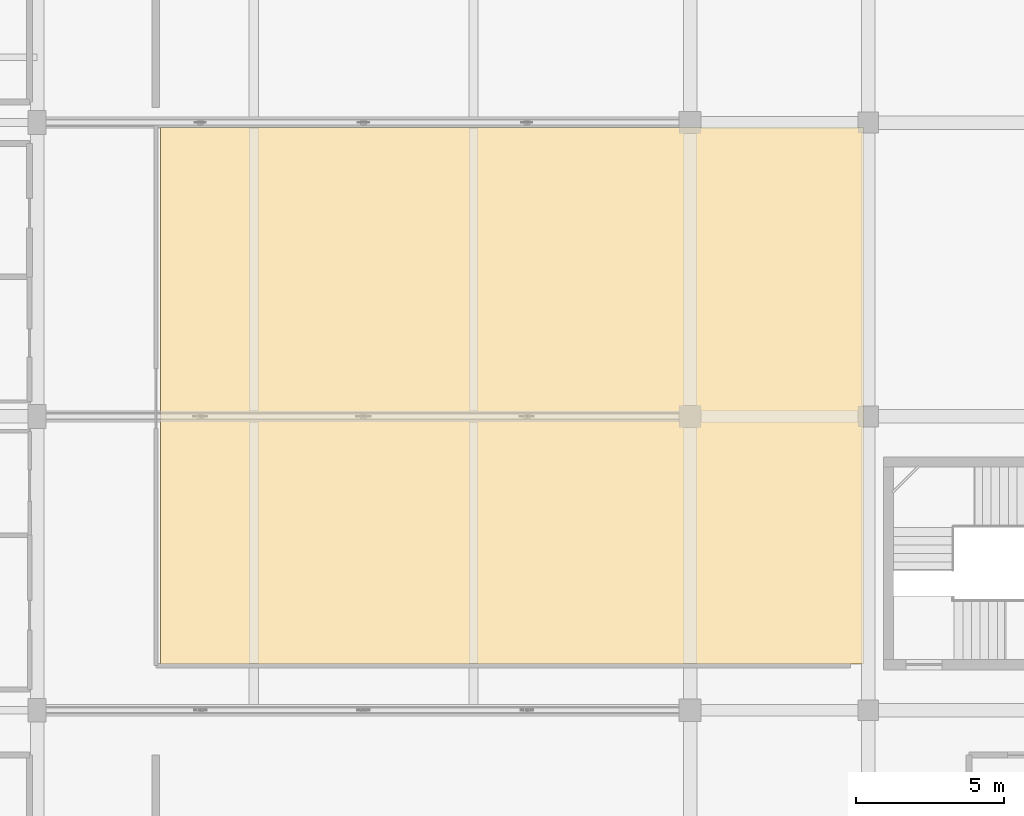
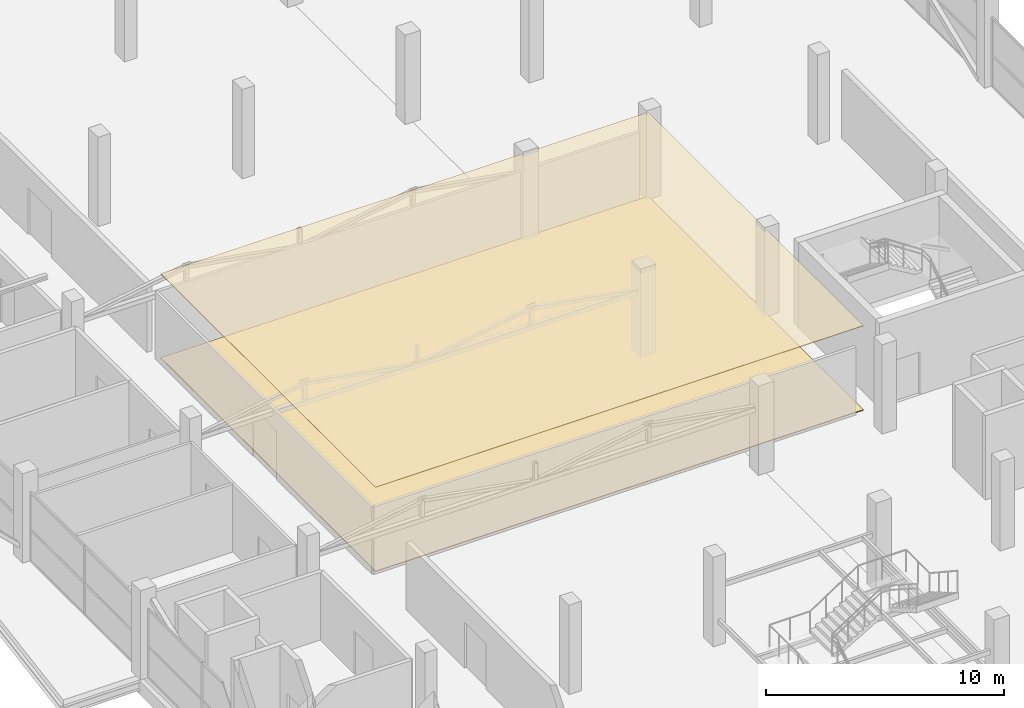
# One storey, part 55 of 58: 2 coverings.
"""IFC4 building model written with IfcOpenShell, lengths in metres."""

import ifcopenshell
import ifcopenshell.guid

model = None  # the IFC model being written
_history = None  # IfcOwnerHistory: only IFC2X3 demands one
_inside = {}  # id of a spatial element -> (the spatial element, [elements in it])
_under = {}  # id of a project, library or spatial element -> (it, [spatial elements below it])
_declared = {}  # id of a project -> (the project, [libraries it declares])
_typed = {}  # id of a type object -> (the type object, [elements of that type])
_made_of = {}  # id of a material, layer set ... -> (it, [elements and type objects made of it])


def new_model(schema):
    """Start an empty IFC model of exactly this schema.

    Asked for "IFC4X3", IfcOpenShell would pick the latest addendum, in which some entities
    have other attributes; the version numbers below select the first issue.
    IFC2X3 requires an IfcOwnerHistory on every rooted entity: one is made here for all.
    """
    global model, _history
    if schema == "IFC4X3":
        model = ifcopenshell.file(schema_version=(4, 3, 0, 0))
    else:
        model = ifcopenshell.file(schema=schema)
    _inside.clear()
    _under.clear()
    _declared.clear()
    _typed.clear()
    _made_of.clear()
    _history = None
    if model.schema == "IFC2X3":
        org = make("IfcOrganization", Name="unknown")
        user = make(
            "IfcPersonAndOrganization",
            ThePerson=make("IfcPerson", FamilyName="unknown"),
            TheOrganization=org,
        )
        app = make(
            "IfcApplication",
            ApplicationDeveloper=org,
            Version="unknown",
            ApplicationFullName="unknown",
            ApplicationIdentifier="unknown",
        )
        _history = make(
            "IfcOwnerHistory",
            OwningUser=user,
            OwningApplication=app,
            ChangeAction="ADDED",
            CreationDate=0,
        )
    return model


def make(cls, **values):
    """One entity of the class cls with the attributes given. An attribute that is None is left unset."""
    return model.create_entity(
        cls, **{name: value for name, value in values.items() if value is not None}
    )


def rooted(cls, **values):
    """An entity with a GlobalId (a new one), such as an element, a storey or a relation."""
    return make(cls, GlobalId=ifcopenshell.guid.new(), OwnerHistory=_history, **values)


def si_unit(unit_type, name, prefix=None):
    """IfcSIUnit, for example si_unit("LENGTHUNIT", "METRE", prefix="MILLI")."""
    return make("IfcSIUnit", UnitType=unit_type, Prefix=prefix, Name=name)


def assignment(units):
    """IfcUnitAssignment: the units of a project."""
    return None if units is None else make("IfcUnitAssignment", Units=units)


def point(xyz):
    """IfcCartesianPoint."""
    return None if xyz is None else make("IfcCartesianPoint", Coordinates=xyz)


def direction(xyz):
    """IfcDirection."""
    return None if xyz is None else make("IfcDirection", DirectionRatios=xyz)


def frame(location, z_axis=None, x_axis=None):
    """IfcAxis2Placement3D, a coordinate frame: its origin and axes. An axis left out is left unset."""
    return make(
        "IfcAxis2Placement3D",
        Location=point(location),
        Axis=direction(z_axis),
        RefDirection=direction(x_axis),
    )


def origin():
    """The frame at (0, 0, 0) with its axes left unset."""
    return frame((0.0, 0.0, 0.0))


def place(relative_to, where):
    """IfcLocalPlacement: puts the frame where relative to a parent placement (None: the world)."""
    return make(
        "IfcLocalPlacement", PlacementRelTo=relative_to, RelativePlacement=where
    )


def context(
    kind, dimensions, precision=None, world=None, true_north=None, identifier=None
):
    """IfcGeometricRepresentationContext, for example the 3D "Model" context."""
    return make(
        "IfcGeometricRepresentationContext",
        ContextIdentifier=identifier,
        ContextType=kind,
        CoordinateSpaceDimension=dimensions,
        Precision=precision,
        WorldCoordinateSystem=world,
        TrueNorth=true_north,
    )


def subcontext(parent, identifier, kind, view, scale=None):
    """IfcGeometricRepresentationSubContext, for example "Body" below "Model"."""
    return make(
        "IfcGeometricRepresentationSubContext",
        ContextIdentifier=identifier,
        ContextType=kind,
        ParentContext=parent,
        TargetScale=scale,
        TargetView=view,
    )


def project(units=None, contexts=None):
    """IfcProject with its units and contexts."""
    return rooted(
        "IfcProject",
        Name="project",
        RepresentationContexts=contexts,
        UnitsInContext=assignment(units),
    )


def spatial(cls, under=None, at=None, **own):
    """A site, building, storey or space (cls), placed at a placement, below another one or the project."""
    s = rooted(cls, ObjectPlacement=at, **own)
    if under is not None:
        _under.setdefault(under.id(), (under, []))[1].append(s)
    return s


def polyline(points):
    """IfcPolyline through the points."""
    return make("IfcPolyline", Points=[point(p) for p in points])


def outline(outer, holes=None, kind="AREA"):
    """IfcArbitraryClosedProfileDef: a profile drawn as a closed curve; with holes, ...WithVoids."""
    if holes is None:
        return make("IfcArbitraryClosedProfileDef", ProfileType=kind, OuterCurve=outer)
    return make(
        "IfcArbitraryProfileDefWithVoids",
        ProfileType=kind,
        OuterCurve=outer,
        InnerCurves=holes,
    )


def extrude(swept, where, along, depth):
    """IfcExtrudedAreaSolid: the profile swept, set in the frame where, extruded along a direction by depth."""
    return make(
        "IfcExtrudedAreaSolid",
        SweptArea=swept,
        Position=where,
        ExtrudedDirection=direction(along),
        Depth=depth,
    )


def shape(context_of_items, identifier, shape_type, items):
    """IfcShapeRepresentation: the items that make up one representation, for example the "Body"."""
    return make(
        "IfcShapeRepresentation",
        ContextOfItems=context_of_items,
        RepresentationIdentifier=identifier,
        RepresentationType=shape_type,
        Items=items,
    )


def material(Name=None, Category=None):
    """IfcMaterial."""
    return make("IfcMaterial", Name=Name, Category=Category)


def layer(
    of_material, thickness, ventilated=None, Name=None, Category=None, Priority=None
):
    """IfcMaterialLayer: one layer of a wall or slab, of a material (None: an air gap)."""
    return make(
        "IfcMaterialLayer",
        Material=of_material,
        LayerThickness=thickness,
        IsVentilated=ventilated,
        Name=Name,
        Category=Category,
        Priority=Priority,
    )


def layer_set(layers, Name=None):
    """IfcMaterialLayerSet."""
    return make("IfcMaterialLayerSet", MaterialLayers=layers, LayerSetName=Name)


def made_of(thing, what):
    """Note that an element or type object is made of a material, layer set ...; save() writes the relation."""
    if what is not None:
        _made_of.setdefault(what.id(), (what, []))[1].append(thing)
    return thing


def type_object(cls, material=None, **own):
    """A type object (cls), such as IfcWallType, which elements share."""
    return made_of(rooted(cls, **own), material)


def element(
    cls,
    number,
    at=None,
    inside=None,
    cuts=None,
    type_object=None,
    material=None,
    context=None,
    identifier="Body",
    shape_type=None,
    held_by="IfcProductDefinitionShape",
    body=None,
    shapes=None,
    **own,
):
    """One element of the class cls, such as IfcWall. Its Tag is "e" and its number.

    at: its placement. inside: the storey or other place that contains it. cuts: it is an
    opening in that element (IfcRelVoidsElement). A single representation is given by context,
    identifier, shape_type and body (its items); several are given by shapes. held_by: the class
    of the entity that holds the representations. save() writes the other relations.
    """
    e = rooted(cls, Tag="e%d" % number, ObjectPlacement=at, **own)
    if body is not None:
        shapes = [shape(context, identifier, shape_type, body)]
    if shapes is not None:
        e.Representation = make(held_by, Representations=shapes)
    if inside is not None:
        _inside.setdefault(inside.id(), (inside, []))[1].append(e)
    if cuts is not None:
        rooted(
            "IfcRelVoidsElement", RelatingBuildingElement=cuts, RelatedOpeningElement=e
        )
    if type_object is not None:
        _typed.setdefault(type_object.id(), (type_object, []))[1].append(e)
    return made_of(e, material)


def aggregate(whole, parts):
    """IfcRelAggregates: a whole, such as a stair, and the parts it consists of."""
    return rooted("IfcRelAggregates", RelatingObject=whole, RelatedObjects=parts)


def save(model, path):
    """Write the relations noted so far, then the file.

    IfcRelAggregates (storeys below a building ...), IfcRelContainedInSpatialStructure (elements
    in a storey), IfcRelDefinesByType, IfcRelAssociatesMaterial and IfcRelDeclares: one each for
    every whole, place, type object, material and project.
    """
    for whole, parts in _under.values():
        aggregate(whole, parts)
    for where, things in _inside.values():
        rooted(
            "IfcRelContainedInSpatialStructure",
            RelatedElements=things,
            RelatingStructure=where,
        )
    for kind, things in _typed.values():
        rooted("IfcRelDefinesByType", RelatedObjects=things, RelatingType=kind)
    for what, things in _made_of.values():
        rooted("IfcRelAssociatesMaterial", RelatedObjects=things, RelatingMaterial=what)
    for by, libraries in _declared.values():
        rooted("IfcRelDeclares", RelatingContext=by, RelatedDefinitions=libraries)
    model.write(path)


model = new_model("IFC4")

# Units and contexts
model_context = context("Model", 3, precision=1e-05, world=origin(), true_north=direction((0.0, 1.0)))
body_context = subcontext(model_context, "Body", "Model", "MODEL_VIEW")
ifc_project = project(units=[si_unit("LENGTHUNIT", "METRE"), si_unit("AREAUNIT", "SQUARE_METRE"), si_unit("VOLUMEUNIT", "CUBIC_METRE"), si_unit("PLANEANGLEUNIT", "RADIAN"), si_unit("MASSUNIT", "GRAM", prefix="KILO")], contexts=[model_context])

# Site, building, storey
site_placement = place(None, origin())
site = spatial("IfcSite", under=ifc_project, at=site_placement, CompositionType="ELEMENT")
building_placement = place(site_placement, origin())
building = spatial("IfcBuilding", under=site, at=building_placement, Name="Sillaruma Civic Art Gallery", CompositionType="ELEMENT")
storey_placement = place(building_placement, frame((0.0, 0.0, 28.56005859375)))
storey = spatial("IfcBuildingStorey", under=building, at=storey_placement, Name="L05", CompositionType="ELEMENT", Elevation=28.56005859375)

# Coverings
ifc_material_1 = material(Name="Gypsum Acoustic Board", Category="gypsum")
ifc_layer_1 = layer(ifc_material_1, 0.030029296875, Name="Gypsum Acoustic Board")
ifc_layer_set_1 = layer_set([ifc_layer_1], Name="Gypsum Acoustic Board")
covering_type_1 = type_object("IfcCoveringType", Name="COV-CLG-30", PredefinedType="CEILING", material=ifc_layer_set_1)
covering_1_placement = place(storey_placement, frame((0.0, 0.0, 4.31982421875)))
element("IfcCovering", 1, at=covering_1_placement, inside=storey, type_object=covering_type_1, Name="Acoustic Gallery Ceiling (L05-GAL51)", PredefinedType="CEILING", context=body_context, shape_type="SweptSolid", body=[
    extrude(outline(polyline([(74.159912109375, 51.06005859375), (97.840087890625, 51.06005859375), (97.840087890625, 69.139892578125), (74.159912109375, 69.139892578125), (74.159912109375, 51.06005859375)])), origin(), (0.0, 0.0, 1.0), 0.030029296875),
])
ifc_material_2 = material(Name="Basalt Paver Stone", Category="masonry")
ifc_layer_2 = layer(ifc_material_2, 0.034912109375, Name="Basalt Paver Stone")
ifc_layer_set_2 = layer_set([ifc_layer_2], Name="Basalt Paver Stone")
covering_type_2 = type_object("IfcCoveringType", Name="COV-FLR-35", PredefinedType="FLOORING", material=ifc_layer_set_2)
covering_2_placement = place(storey_placement, origin())
element("IfcCovering", 2, at=covering_2_placement, inside=storey, type_object=covering_type_2, Name="Gallery Stone Terrazzo Flooring (L05-GAL51)", PredefinedType="FLOORING", context=body_context, shape_type="SweptSolid", body=[
    extrude(outline(polyline([(74.159912109375, 51.06005859375), (97.840087890625, 51.06005859375), (97.840087890625, 69.139892578125), (74.159912109375, 69.139892578125), (74.159912109375, 51.06005859375)])), origin(), (0.0, 0.0, 1.0), 0.034912109375),
])

save(model, "model.ifc")
